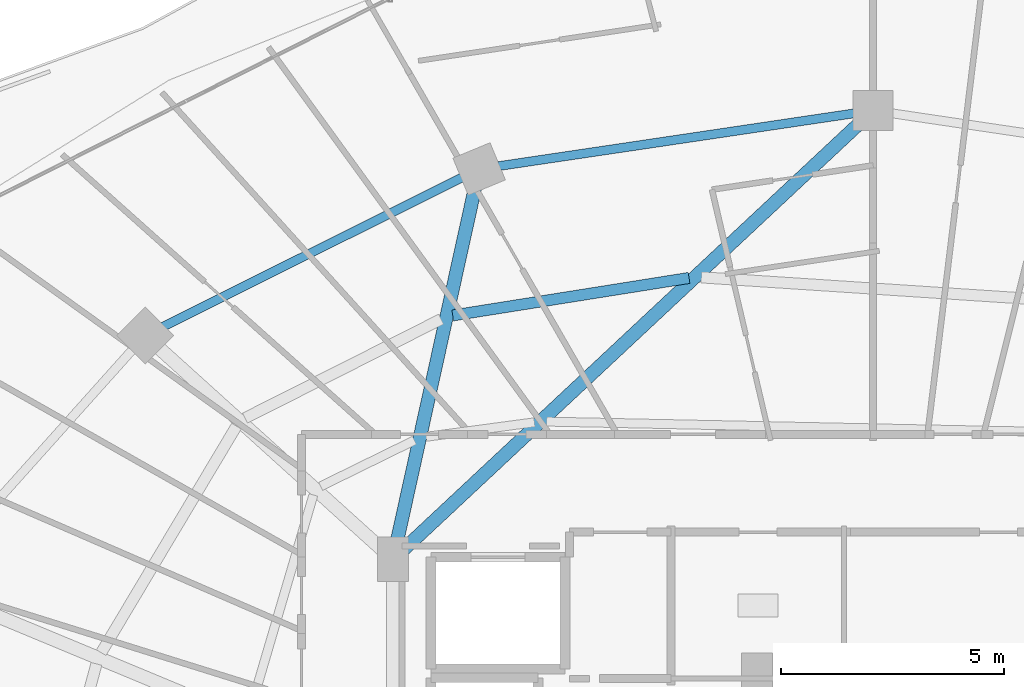
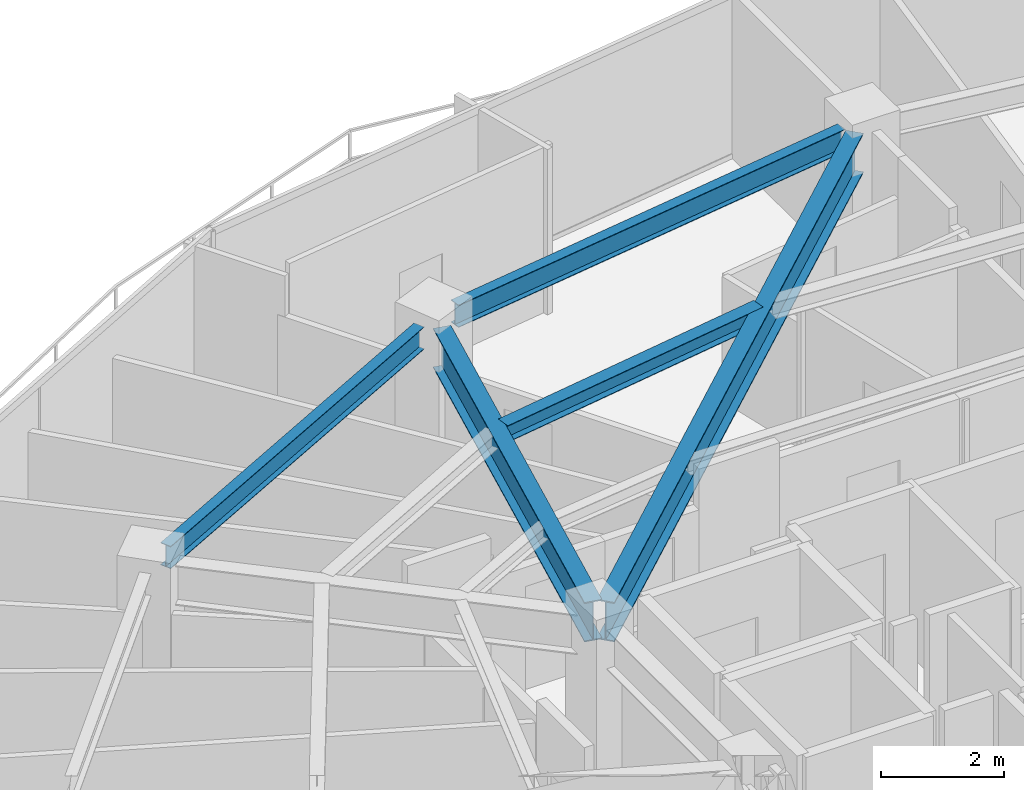
# One storey, part 19 of 34: 5 beams.
"""IFC4 building model written with IfcOpenShell, lengths in metres."""

from ifc_helpers import new_model, si_unit, direction, frame, origin, origin_2d, place, context, subcontext, project, spatial, i_section, extrude, material, material_profile, profile_set, type_object, element, save


model = new_model("IFC4")

# Units and contexts
model_context = context("Model", 3, precision=1e-05, world=origin(), true_north=direction((0.0, 1.0)))
body_context = subcontext(model_context, "Body", "Model", "MODEL_VIEW")
ifc_project = project(units=[si_unit("LENGTHUNIT", "METRE"), si_unit("AREAUNIT", "SQUARE_METRE"), si_unit("VOLUMEUNIT", "CUBIC_METRE"), si_unit("PLANEANGLEUNIT", "RADIAN"), si_unit("MASSUNIT", "GRAM", prefix="KILO")], contexts=[model_context])

# Site, building, storey
site_placement = place(None, origin())
site = spatial("IfcSite", under=ifc_project, at=site_placement, CompositionType="ELEMENT")
building_placement = place(site_placement, origin())
building = spatial("IfcBuilding", under=site, at=building_placement, Name="Vorneva Point Tower", CompositionType="ELEMENT")
storey_placement = place(building_placement, frame((0.0, 0.0, 210.75)))
storey = spatial("IfcBuildingStorey", under=building, at=storey_placement, Name="L57", CompositionType="ELEMENT", Elevation=210.75)

# Beams
ifc_material = material(Name="Steel S355", Category="steel")
ifc_material_profile_1 = material_profile(ifc_material, i_section(OverallWidth=0.300048828125, OverallDepth=0.7880859375, WebThickness=0.014404296875, FlangeThickness=0.02197265625, at=origin_2d()), Name="80Sh1")
ifc_profile_set_1 = profile_set([ifc_material_profile_1], Name="Steel S355")
beam_type_1 = type_object("IfcBeamType", Name="BM-GRD-80Sh1", PredefinedType="USERDEFINED", material=ifc_profile_set_1)
beam_1_placement = place(storey_placement, frame((37.679931640625, 42.90087890625, 2.89599609375), z_axis=(-0.730484767146, -0.682928989696, 0.0), x_axis=(0.682928989696, -0.730484767146, 0.0)))
element("IfcBeam", 1, at=beam_1_placement, inside=storey, type_object=beam_type_1, Name="L57 Radial Primary Girder 05", ObjectType="GIRDER", PredefinedType="USERDEFINED", context=body_context, shape_type="SweptSolid", body=[
    extrude(i_section(OverallWidth=0.300048828125, OverallDepth=0.7880859375, WebThickness=0.014404296875, FlangeThickness=0.02197265625, at=origin_2d()), origin(), (0.0, 0.0, 1.0), 13.938232421875),
])
beam_2_placement = place(storey_placement, frame((29.084716796875, 41.462890625, 2.89599609375), z_axis=(-0.215522758292, -0.976498817541, 0.0), x_axis=(0.976498817541, -0.215522758292, 0.0)))
element("IfcBeam", 2, at=beam_2_placement, inside=storey, type_object=beam_type_1, Name="L57 Radial Primary Girder 06", ObjectType="GIRDER", PredefinedType="USERDEFINED", context=body_context, shape_type="SweptSolid", body=[
    extrude(i_section(OverallWidth=0.300048828125, OverallDepth=0.7880859375, WebThickness=0.014404296875, FlangeThickness=0.02197265625, at=origin_2d()), origin(), (0.0, 0.0, 1.0), 8.173095703125),
])
ifc_material_profile_2 = material_profile(ifc_material, i_section(OverallWidth=0.2490234375, OverallDepth=0.333984375, WebThickness=0.008056640625, FlangeThickness=0.010986328125, at=origin_2d()), Name="35Sh1")
ifc_profile_set_2 = profile_set([ifc_material_profile_2], Name="Steel S355")
beam_type_2 = type_object("IfcBeamType", Name="BM-SEC-35Sh1", PredefinedType="BEAM", material=ifc_profile_set_2)
beam_3_placement = place(storey_placement, frame((33.87841796875, 39.452392578125, 3.123046875), z_axis=(-0.987609534462, -0.156931218819, 0.0), x_axis=(0.156931218819, -0.987609534462, 0.0)))
element("IfcBeam", 3, at=beam_3_placement, inside=storey, type_object=beam_type_2, Name="L57 Secondary Floor Beam 1.05", PredefinedType="BEAM", context=body_context, shape_type="SweptSolid", body=[
    extrude(i_section(OverallWidth=0.2490234375, OverallDepth=0.333984375, WebThickness=0.008056640625, FlangeThickness=0.010986328125, at=origin_2d()), origin(), (0.0, 0.0, 1.0), 5.35791015625),
])
ifc_material_profile_3 = material_profile(ifc_material, i_section(OverallWidth=0.198974609375, OverallDepth=0.446044921875, WebThickness=0.008056640625, FlangeThickness=0.011962890625, at=origin_2d()), Name="45B1")
ifc_profile_set_3 = profile_set([ifc_material_profile_3], Name="Steel S355")
beam_type_3 = type_object("IfcBeamType", Name="BM-SPN-45B1", PredefinedType="SPANDREL", material=ifc_profile_set_3)
beam_4_placement = place(storey_placement, frame((37.569580078125, 43.135986328125, 3.06689453125), z_axis=(-0.989165476332, -0.146804837907, 0.0), x_axis=(0.146804837907, -0.989165476332, 0.0)))
element("IfcBeam", 4, at=beam_4_placement, inside=storey, type_object=beam_type_3, Name="L57 Perimeter Spandrel Ring Beam 05", PredefinedType="SPANDREL", context=body_context, shape_type="SweptSolid", body=[
    extrude(i_section(OverallWidth=0.198974609375, OverallDepth=0.446044921875, WebThickness=0.008056640625, FlangeThickness=0.011962890625, at=origin_2d()), origin(), (0.0, 0.0, 1.0), 8.04736328125),
])
beam_5_placement = place(storey_placement, frame((28.789794921875, 41.696533203125, 3.06689453125), z_axis=(-0.894922371084, -0.446221861559, 0.0), x_axis=(0.446221861559, -0.894922371084, 0.0)))
element("IfcBeam", 5, at=beam_5_placement, inside=storey, type_object=beam_type_3, Name="L57 Perimeter Spandrel Ring Beam 06", PredefinedType="SPANDREL", context=body_context, shape_type="SweptSolid", body=[
    extrude(i_section(OverallWidth=0.198974609375, OverallDepth=0.446044921875, WebThickness=0.008056640625, FlangeThickness=0.011962890625, at=origin_2d()), origin(), (0.0, 0.0, 1.0), 7.48583984375),
])

save(model, "model.ifc")
